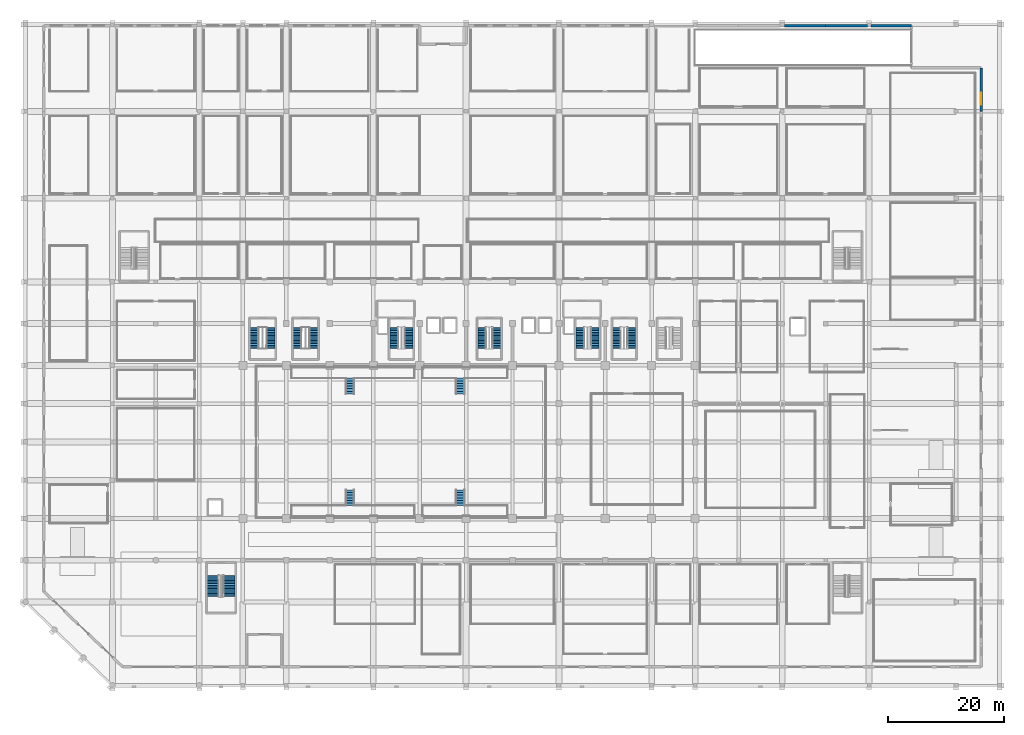
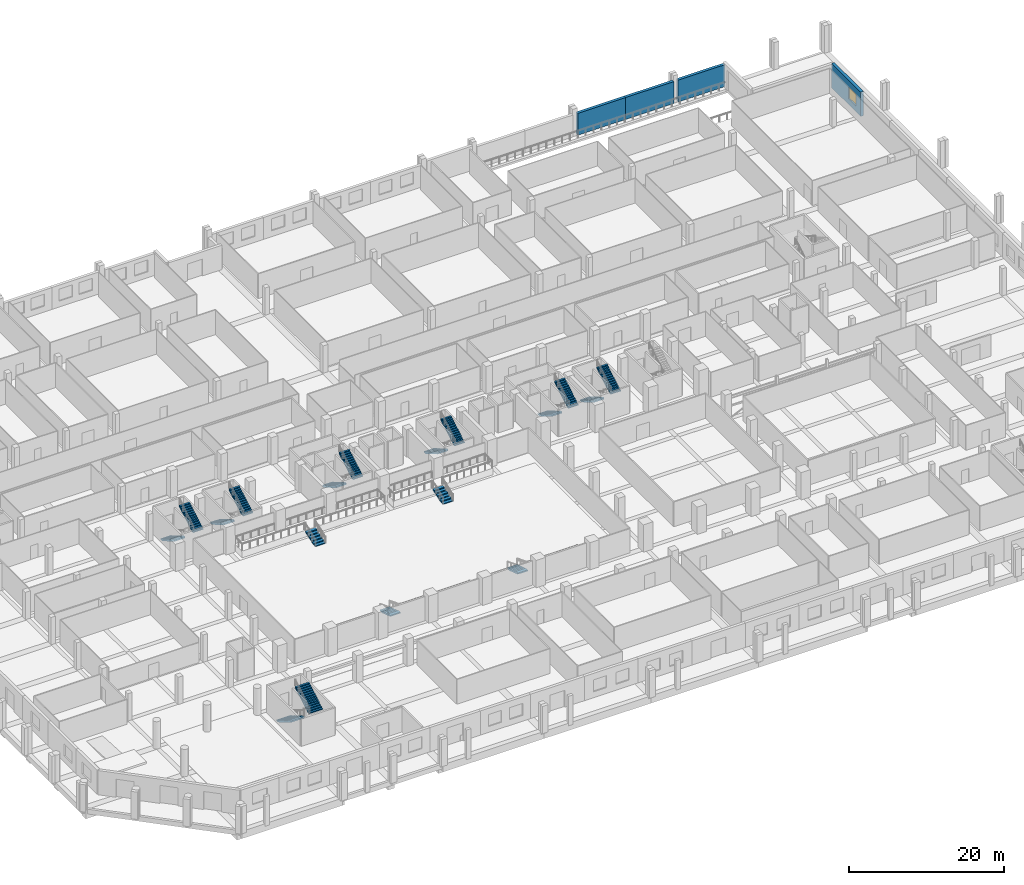
# One storey, part 25 of 33: 18 stair flights, 4 walls, 1 window, 1 opening, 11 elements without a shape of their own.
"""IFC4 building model written with IfcOpenShell, lengths in metres."""

from ifc_helpers import new_model, si_unit, direction, frame, frame_2d, origin, place, context, subcontext, project, spatial, polyline, rectangle, outline, extrude, material, layer, layer_set, type_object, element, fill, aggregate, save


model = new_model("IFC4")

# Units and contexts
model_context = context("Model", 3, precision=1e-05, world=origin(), true_north=direction((0.0, 1.0)))
body_context = subcontext(model_context, "Body", "Model", "MODEL_VIEW")
ifc_project = project(units=[si_unit("LENGTHUNIT", "METRE"), si_unit("AREAUNIT", "SQUARE_METRE"), si_unit("VOLUMEUNIT", "CUBIC_METRE"), si_unit("PLANEANGLEUNIT", "RADIAN"), si_unit("MASSUNIT", "GRAM", prefix="KILO")], contexts=[model_context])

# Site, building, storey
site_placement = place(None, origin())
site = spatial("IfcSite", under=ifc_project, at=site_placement, CompositionType="ELEMENT")
building_placement = place(site_placement, origin())
building = spatial("IfcBuilding", under=site, at=building_placement, Name="Akrevak Sports Hall", CompositionType="ELEMENT")
storey_placement = place(building_placement, origin())
storey = spatial("IfcBuildingStorey", under=building, at=storey_placement, Name="L00", CompositionType="ELEMENT", Elevation=0.0)

# Wall, opening, window
ifc_material_1 = material(Name="Limestone Ashlar", Category="stone")
ifc_layer_1 = layer(ifc_material_1, 0.090087890625, Name="Limestone Ashlar")
ifc_material_2 = material(Name="Mineral Wool Thermal Insulation", Category="insulation")
ifc_layer_2 = layer(ifc_material_2, 0.110107421875, Name="Mineral Wool Thermal Insulation")
ifc_material_3 = material(Name="Concrete C40/50", Category="concrete")
ifc_layer_3 = layer(ifc_material_3, 0.219970703125, Name="Concrete C40/50")
ifc_layer_set = layer_set([ifc_layer_1, ifc_layer_2, ifc_layer_3], Name="Limestone Ashlar / Mineral Wool Thermal Insulation / Concrete C40/50")
wall_type = type_object("IfcWallType", Name="ARC-WL-EXT-420", PredefinedType="SOLIDWALL", material=ifc_layer_set)
wall_1_placement = place(storey_placement, frame((164.800048828125, 99.0, 0.0), z_axis=(0.0, 0.0, 1.0), x_axis=(0.0, 1.0, 0.0)))
wall_1 = element("IfcWall", 1, at=wall_1_placement, inside=storey, type_object=wall_type, Name="East Avenue Arcade Limestone Wall L00-E15", PredefinedType="SOLIDWALL", context=body_context, shape_type="SweptSolid", body=[
    extrude(rectangle(XDim=7.5, YDim=0.419921875, at=frame_2d((3.75, 0.0))), origin(), (0.0, 0.0, 1.0), 3.820068359375),
])
opening_placement = place(wall_1_placement, frame((1.175048828125, 0.0, 0.919921875)))
opening = element("IfcOpeningElement", 2, at=opening_placement, cuts=wall_1, Name="Opening WN-28", PredefinedType="OPENING", context=body_context, shape_type="SweptSolid", body=[
    extrude(rectangle(XDim=2.0, YDim=1.889892578125, at=frame_2d((1.0, 0.94482421875))), frame((0.0, 0.221923828125, 0.0), z_axis=(0.0, -1.0, 0.0), x_axis=(1.0, 0.0, 0.0)), (0.0, 0.0, 1.0), 0.44384765625),
])
ifc_material_4 = material(Name="Thermally Broken Bronze Frame & Double Low-E Glass", Category="glass")
window_type = type_object("IfcWindowType", Name="ARC-WIN-SZ-2000x1890", PartitioningType="SINGLE_PANEL", PredefinedType="WINDOW", material=ifc_material_4)
window_placement = place(opening_placement, origin())
window = element("IfcWindow", 3, at=window_placement, inside=storey, type_object=window_type, Name="Beaux-Arts Facade Window WIN-L00-E15-1", OverallHeight=1.889892578125, OverallWidth=2.0, PartitioningType="SINGLE_PANEL", PredefinedType="WINDOW", context=body_context, shape_type="SweptSolid", body=[
    extrude(rectangle(XDim=2.0, YDim=1.889892578125, at=frame_2d((1.0, 0.94482421875))), frame((0.0, 0.030029296875, 0.0), z_axis=(0.0, -1.0, 0.0), x_axis=(1.0, 0.0, 0.0)), (0.0, 0.0, 1.0), 0.06005859375),
])
fill(opening, window)

# Walls
wall_2_placement = place(storey_placement, frame((138.0, 113.7900390625, 0.0), z_axis=(0.0, 0.0, 1.0), x_axis=(-1.0, 0.0, 0.0)))
element("IfcWall", 4, at=wall_2_placement, inside=storey, type_object=wall_type, Name="North Concourse Stone Wall L00-N18", PredefinedType="SOLIDWALL", context=body_context, shape_type="SweptSolid", body=[
    extrude(rectangle(XDim=7.125, YDim=0.419921875, at=frame_2d((3.5625, 0.0))), origin(), (0.0, 0.0, 1.0), 3.449951171875),
])
wall_3_placement = place(storey_placement, frame((145.175048828125, 113.7900390625, 0.0), z_axis=(0.0, 0.0, 1.0), x_axis=(-1.0, 0.0, 0.0)))
element("IfcWall", 5, at=wall_3_placement, inside=storey, type_object=wall_type, Name="North Concourse Stone Wall L00-N19", PredefinedType="SOLIDWALL", context=body_context, shape_type="SweptSolid", body=[
    extrude(rectangle(XDim=7.175048828125, YDim=0.419921875, at=frame_2d((3.58740234375, 0.0))), origin(), (0.0, 0.0, 1.0), 3.449951171875),
])
wall_4_placement = place(storey_placement, frame((152.800048828125, 113.7900390625, 0.0), z_axis=(0.0, 0.0, 1.0), x_axis=(-1.0, 0.0, 0.0)))
element("IfcWall", 6, at=wall_4_placement, inside=storey, type_object=wall_type, Name="North Concourse Stone Wall L00-N20", PredefinedType="SOLIDWALL", context=body_context, shape_type="SweptSolid", body=[
    extrude(rectangle(XDim=6.97509765625, YDim=0.419921875, at=frame_2d((3.487548828125, 0.0))), origin(), (0.0, 0.0, 1.0), 3.449951171875),
])

# Stair, stair flights
stair_type_1 = type_object("IfcStairType", Name="ARC-STR-DOG-460", PredefinedType="HALF_TURN_STAIR", material=ifc_material_3)
stair_1_placement = place(storey_placement, origin())
stair_1 = element("IfcStair", 7, at=stair_1_placement, inside=storey, type_object=stair_type_1, Name="Protected Exit Stair ST1 (L00 to L01)", PredefinedType="HALF_TURN_STAIR")
stair_flight_type_1 = type_object("IfcStairFlightType", Name="ARC-FLT-165-164", PredefinedType="STRAIGHT", material=ifc_material_3)
stair_flight_1_placement = place(storey_placement, frame((63.610107421875, 61.735107421875, 0.0), z_axis=(0.0, 0.0, 1.0), x_axis=(0.0, -1.0, 0.0)))
stair_flight_1 = element("IfcStairFlight", 8, at=stair_flight_1_placement, type_object=stair_flight_type_1, Name="Stair ST1 Flight 1 (L00)", NumberOfRisers=14, NumberOfTreads=13, PredefinedType="STRAIGHT", RiserHeight=0.164286, TreadLength=0.28, context=body_context, shape_type="SweptSolid", body=[
    extrude(outline(polyline([(0.0, 0.0), (0.0, 0.164306640625), (0.280029296875, 0.164306640625), (0.280029296875, 0.32861328125), (0.56005859375, 0.32861328125), (0.56005859375, 0.492919921875), (0.840087890625, 0.492919921875), (0.840087890625, 0.6572265625), (1.1201171875, 0.6572265625), (1.1201171875, 0.821533203125), (1.39990234375, 0.821533203125), (1.39990234375, 0.985595703125), (1.679931640625, 0.985595703125), (1.679931640625, 1.14990234375), (1.9599609375, 1.14990234375), (1.9599609375, 1.314208984375), (2.239990234375, 1.314208984375), (2.239990234375, 1.478515625), (2.52001953125, 1.478515625), (2.52001953125, 1.642822265625), (2.800048828125, 1.642822265625), (2.800048828125, 1.80712890625), (3.080078125, 1.80712890625), (3.080078125, 1.971435546875), (3.360107421875, 1.971435546875), (3.360107421875, 2.1357421875), (3.639892578125, 2.1357421875), (3.639892578125, 2.300048828125), (3.639892578125, 1.90380859375), (0.39501953125, 0.0), (0.0, 0.0)])), frame((0.0, 0.75, 0.0), z_axis=(0.0, -1.0, 0.0), x_axis=(1.0, 0.0, 0.0)), (0.0, 0.0, 1.0), 1.5),
])
stair_flight_2_placement = place(storey_placement, frame((66.090087890625, 58.094970703125, 2.300048828125), z_axis=(0.0, 0.0, 1.0), x_axis=(0.0, 1.0, 0.0)))
stair_flight_2 = element("IfcStairFlight", 9, at=stair_flight_2_placement, type_object=stair_flight_type_1, Name="Stair ST1 Flight 2 (L00)", NumberOfRisers=14, NumberOfTreads=13, PredefinedType="STRAIGHT", RiserHeight=0.164286, TreadLength=0.28, context=body_context, shape_type="SweptSolid", body=[
    extrude(outline(polyline([(0.0, 0.0), (0.0, 0.164306640625), (0.280029296875, 0.164306640625), (0.280029296875, 0.32861328125), (0.56005859375, 0.32861328125), (0.56005859375, 0.492919921875), (0.840087890625, 0.492919921875), (0.840087890625, 0.6572265625), (1.1201171875, 0.6572265625), (1.1201171875, 0.821533203125), (1.39990234375, 0.821533203125), (1.39990234375, 0.985595703125), (1.679931640625, 0.985595703125), (1.679931640625, 1.14990234375), (1.9599609375, 1.14990234375), (1.9599609375, 1.314208984375), (2.239990234375, 1.314208984375), (2.239990234375, 1.478515625), (2.52001953125, 1.478515625), (2.52001953125, 1.642822265625), (2.800048828125, 1.642822265625), (2.800048828125, 1.80712890625), (3.080078125, 1.80712890625), (3.080078125, 1.971435546875), (3.360107421875, 1.971435546875), (3.360107421875, 2.1357421875), (3.639892578125, 2.1357421875), (3.639892578125, 2.300048828125), (3.639892578125, 1.90380859375), (0.39501953125, 0.0), (0.0, 0.0)])), frame((0.0, 0.75, 0.0), z_axis=(0.0, -1.0, 0.0), x_axis=(1.0, 0.0, 0.0)), (0.0, 0.0, 1.0), 1.5),
])
aggregate(stair_1, [stair_flight_1, stair_flight_2])

stair_2_placement = place(storey_placement, origin())
stair_2 = element("IfcStair", 10, at=stair_2_placement, inside=storey, type_object=stair_type_1, Name="Protected Exit Stair ST2 (L00 to L01)", PredefinedType="HALF_TURN_STAIR")
stair_flight_3_placement = place(storey_placement, frame((95.7099609375, 61.735107421875, 0.0), z_axis=(0.0, 0.0, 1.0), x_axis=(0.0, -1.0, 0.0)))
stair_flight_3 = element("IfcStairFlight", 11, at=stair_flight_3_placement, type_object=stair_flight_type_1, Name="Stair ST2 Flight 1 (L00)", NumberOfRisers=14, NumberOfTreads=13, PredefinedType="STRAIGHT", RiserHeight=0.164286, TreadLength=0.28, context=body_context, shape_type="SweptSolid", body=[
    extrude(outline(polyline([(0.0, 0.0), (0.0, 0.164306640625), (0.280029296875, 0.164306640625), (0.280029296875, 0.32861328125), (0.56005859375, 0.32861328125), (0.56005859375, 0.492919921875), (0.840087890625, 0.492919921875), (0.840087890625, 0.6572265625), (1.1201171875, 0.6572265625), (1.1201171875, 0.821533203125), (1.39990234375, 0.821533203125), (1.39990234375, 0.985595703125), (1.679931640625, 0.985595703125), (1.679931640625, 1.14990234375), (1.9599609375, 1.14990234375), (1.9599609375, 1.314208984375), (2.239990234375, 1.314208984375), (2.239990234375, 1.478515625), (2.52001953125, 1.478515625), (2.52001953125, 1.642822265625), (2.800048828125, 1.642822265625), (2.800048828125, 1.80712890625), (3.080078125, 1.80712890625), (3.080078125, 1.971435546875), (3.360107421875, 1.971435546875), (3.360107421875, 2.1357421875), (3.639892578125, 2.1357421875), (3.639892578125, 2.300048828125), (3.639892578125, 1.90380859375), (0.39501953125, 0.0), (0.0, 0.0)])), frame((0.0, 0.75, 0.0), z_axis=(0.0, -1.0, 0.0), x_axis=(1.0, 0.0, 0.0)), (0.0, 0.0, 1.0), 1.5),
])
stair_flight_4_placement = place(storey_placement, frame((98.18994140625, 58.094970703125, 2.300048828125), z_axis=(0.0, 0.0, 1.0), x_axis=(0.0, 1.0, 0.0)))
stair_flight_4 = element("IfcStairFlight", 12, at=stair_flight_4_placement, type_object=stair_flight_type_1, Name="Stair ST2 Flight 2 (L00)", NumberOfRisers=14, NumberOfTreads=13, PredefinedType="STRAIGHT", RiserHeight=0.164286, TreadLength=0.28, context=body_context, shape_type="SweptSolid", body=[
    extrude(outline(polyline([(0.0, 0.0), (0.0, 0.164306640625), (0.280029296875, 0.164306640625), (0.280029296875, 0.32861328125), (0.56005859375, 0.32861328125), (0.56005859375, 0.492919921875), (0.840087890625, 0.492919921875), (0.840087890625, 0.6572265625), (1.1201171875, 0.6572265625), (1.1201171875, 0.821533203125), (1.39990234375, 0.821533203125), (1.39990234375, 0.985595703125), (1.679931640625, 0.985595703125), (1.679931640625, 1.14990234375), (1.9599609375, 1.14990234375), (1.9599609375, 1.314208984375), (2.239990234375, 1.314208984375), (2.239990234375, 1.478515625), (2.52001953125, 1.478515625), (2.52001953125, 1.642822265625), (2.800048828125, 1.642822265625), (2.800048828125, 1.80712890625), (3.080078125, 1.80712890625), (3.080078125, 1.971435546875), (3.360107421875, 1.971435546875), (3.360107421875, 2.1357421875), (3.639892578125, 2.1357421875), (3.639892578125, 2.300048828125), (3.639892578125, 1.90380859375), (0.39501953125, 0.0), (0.0, 0.0)])), frame((0.0, 0.75, 0.0), z_axis=(0.0, -1.0, 0.0), x_axis=(1.0, 0.0, 0.0)), (0.0, 0.0, 1.0), 1.5),
])
aggregate(stair_2, [stair_flight_3, stair_flight_4])

stair_3_placement = place(storey_placement, origin())
stair_3 = element("IfcStair", 13, at=stair_3_placement, inside=storey, type_object=stair_type_1, Name="Protected Exit Stair ST3 (L00 to L01)", PredefinedType="HALF_TURN_STAIR")
stair_flight_5_placement = place(storey_placement, frame((78.760009765625, 61.735107421875, 0.0), z_axis=(0.0, 0.0, 1.0), x_axis=(0.0, -1.0, 0.0)))
stair_flight_5 = element("IfcStairFlight", 14, at=stair_flight_5_placement, type_object=stair_flight_type_1, Name="Stair ST3 Flight 1 (L00)", NumberOfRisers=14, NumberOfTreads=13, PredefinedType="STRAIGHT", RiserHeight=0.164286, TreadLength=0.28, context=body_context, shape_type="SweptSolid", body=[
    extrude(outline(polyline([(0.0, 0.0), (0.0, 0.164306640625), (0.280029296875, 0.164306640625), (0.280029296875, 0.32861328125), (0.56005859375, 0.32861328125), (0.56005859375, 0.492919921875), (0.840087890625, 0.492919921875), (0.840087890625, 0.6572265625), (1.1201171875, 0.6572265625), (1.1201171875, 0.821533203125), (1.39990234375, 0.821533203125), (1.39990234375, 0.985595703125), (1.679931640625, 0.985595703125), (1.679931640625, 1.14990234375), (1.9599609375, 1.14990234375), (1.9599609375, 1.314208984375), (2.239990234375, 1.314208984375), (2.239990234375, 1.478515625), (2.52001953125, 1.478515625), (2.52001953125, 1.642822265625), (2.800048828125, 1.642822265625), (2.800048828125, 1.80712890625), (3.080078125, 1.80712890625), (3.080078125, 1.971435546875), (3.360107421875, 1.971435546875), (3.360107421875, 2.1357421875), (3.639892578125, 2.1357421875), (3.639892578125, 2.300048828125), (3.639892578125, 1.90380859375), (0.39501953125, 0.0), (0.0, 0.0)])), frame((0.0, 0.75, 0.0), z_axis=(0.0, -1.0, 0.0), x_axis=(1.0, 0.0, 0.0)), (0.0, 0.0, 1.0), 1.5),
])
stair_flight_6_placement = place(storey_placement, frame((81.239990234375, 58.094970703125, 2.300048828125), z_axis=(0.0, 0.0, 1.0), x_axis=(0.0, 1.0, 0.0)))
stair_flight_6 = element("IfcStairFlight", 15, at=stair_flight_6_placement, type_object=stair_flight_type_1, Name="Stair ST3 Flight 2 (L00)", NumberOfRisers=14, NumberOfTreads=13, PredefinedType="STRAIGHT", RiserHeight=0.164286, TreadLength=0.28, context=body_context, shape_type="SweptSolid", body=[
    extrude(outline(polyline([(0.0, 0.0), (0.0, 0.164306640625), (0.280029296875, 0.164306640625), (0.280029296875, 0.32861328125), (0.56005859375, 0.32861328125), (0.56005859375, 0.492919921875), (0.840087890625, 0.492919921875), (0.840087890625, 0.6572265625), (1.1201171875, 0.6572265625), (1.1201171875, 0.821533203125), (1.39990234375, 0.821533203125), (1.39990234375, 0.985595703125), (1.679931640625, 0.985595703125), (1.679931640625, 1.14990234375), (1.9599609375, 1.14990234375), (1.9599609375, 1.314208984375), (2.239990234375, 1.314208984375), (2.239990234375, 1.478515625), (2.52001953125, 1.478515625), (2.52001953125, 1.642822265625), (2.800048828125, 1.642822265625), (2.800048828125, 1.80712890625), (3.080078125, 1.80712890625), (3.080078125, 1.971435546875), (3.360107421875, 1.971435546875), (3.360107421875, 2.1357421875), (3.639892578125, 2.1357421875), (3.639892578125, 2.300048828125), (3.639892578125, 1.90380859375), (0.39501953125, 0.0), (0.0, 0.0)])), frame((0.0, 0.75, 0.0), z_axis=(0.0, -1.0, 0.0), x_axis=(1.0, 0.0, 0.0)), (0.0, 0.0, 1.0), 1.5),
])
aggregate(stair_3, [stair_flight_5, stair_flight_6])

stair_4_placement = place(storey_placement, origin())
stair_4 = element("IfcStair", 16, at=stair_4_placement, inside=storey, type_object=stair_type_1, Name="East Wing Exit Stair ST10 (L00 to L01)", PredefinedType="HALF_TURN_STAIR")
stair_flight_7_placement = place(storey_placement, frame((102.010009765625, 61.735107421875, 0.0), z_axis=(0.0, 0.0, 1.0), x_axis=(0.0, -1.0, 0.0)))
stair_flight_7 = element("IfcStairFlight", 17, at=stair_flight_7_placement, type_object=stair_flight_type_1, Name="Stair ST10 Flight 1 (L00)", NumberOfRisers=14, NumberOfTreads=13, PredefinedType="STRAIGHT", RiserHeight=0.164286, TreadLength=0.28, context=body_context, shape_type="SweptSolid", body=[
    extrude(outline(polyline([(0.0, 0.0), (0.0, 0.164306640625), (0.280029296875, 0.164306640625), (0.280029296875, 0.32861328125), (0.56005859375, 0.32861328125), (0.56005859375, 0.492919921875), (0.840087890625, 0.492919921875), (0.840087890625, 0.6572265625), (1.1201171875, 0.6572265625), (1.1201171875, 0.821533203125), (1.39990234375, 0.821533203125), (1.39990234375, 0.985595703125), (1.679931640625, 0.985595703125), (1.679931640625, 1.14990234375), (1.9599609375, 1.14990234375), (1.9599609375, 1.314208984375), (2.239990234375, 1.314208984375), (2.239990234375, 1.478515625), (2.52001953125, 1.478515625), (2.52001953125, 1.642822265625), (2.800048828125, 1.642822265625), (2.800048828125, 1.80712890625), (3.080078125, 1.80712890625), (3.080078125, 1.971435546875), (3.360107421875, 1.971435546875), (3.360107421875, 2.1357421875), (3.639892578125, 2.1357421875), (3.639892578125, 2.300048828125), (3.639892578125, 1.90380859375), (0.39501953125, 0.0), (0.0, 0.0)])), frame((0.0, 0.75, 0.0), z_axis=(0.0, -1.0, 0.0), x_axis=(1.0, 0.0, 0.0)), (0.0, 0.0, 1.0), 1.5),
])
stair_flight_8_placement = place(storey_placement, frame((104.489990234375, 58.094970703125, 2.300048828125), z_axis=(0.0, 0.0, 1.0), x_axis=(0.0, 1.0, 0.0)))
stair_flight_8 = element("IfcStairFlight", 18, at=stair_flight_8_placement, type_object=stair_flight_type_1, Name="Stair ST10 Flight 2 (L00)", NumberOfRisers=14, NumberOfTreads=13, PredefinedType="STRAIGHT", RiserHeight=0.164286, TreadLength=0.28, context=body_context, shape_type="SweptSolid", body=[
    extrude(outline(polyline([(0.0, 0.0), (0.0, 0.164306640625), (0.280029296875, 0.164306640625), (0.280029296875, 0.32861328125), (0.56005859375, 0.32861328125), (0.56005859375, 0.492919921875), (0.840087890625, 0.492919921875), (0.840087890625, 0.6572265625), (1.1201171875, 0.6572265625), (1.1201171875, 0.821533203125), (1.39990234375, 0.821533203125), (1.39990234375, 0.985595703125), (1.679931640625, 0.985595703125), (1.679931640625, 1.14990234375), (1.9599609375, 1.14990234375), (1.9599609375, 1.314208984375), (2.239990234375, 1.314208984375), (2.239990234375, 1.478515625), (2.52001953125, 1.478515625), (2.52001953125, 1.642822265625), (2.800048828125, 1.642822265625), (2.800048828125, 1.80712890625), (3.080078125, 1.80712890625), (3.080078125, 1.971435546875), (3.360107421875, 1.971435546875), (3.360107421875, 2.1357421875), (3.639892578125, 2.1357421875), (3.639892578125, 2.300048828125), (3.639892578125, 1.90380859375), (0.39501953125, 0.0), (0.0, 0.0)])), frame((0.0, 0.75, 0.0), z_axis=(0.0, -1.0, 0.0), x_axis=(1.0, 0.0, 0.0)), (0.0, 0.0, 1.0), 1.5),
])
aggregate(stair_4, [stair_flight_7, stair_flight_8])

stair_type_2 = type_object("IfcStairType", Name="ARC-STR-MDOG-460", PredefinedType="HALF_TURN_STAIR", material=ifc_material_3)
stair_5_placement = place(storey_placement, origin())
stair_5 = element("IfcStair", 19, at=stair_5_placement, inside=storey, type_object=stair_type_2, Name="Protected Exit Stair ST4 (L00 to L01)", PredefinedType="HALF_TURN_STAIR")
stair_flight_type_2 = type_object("IfcStairFlightType", Name="ARC-FLT-200-164", PredefinedType="STRAIGHT", material=ifc_material_3)
stair_flight_9_placement = place(storey_placement, frame((46.9150390625, 61.735107421875, 0.0), z_axis=(0.0, 0.0, 1.0), x_axis=(0.0, -1.0, 0.0)))
stair_flight_9 = element("IfcStairFlight", 20, at=stair_flight_9_placement, type_object=stair_flight_type_2, Name="Stair ST4 Flight 1 (L00)", NumberOfRisers=14, NumberOfTreads=13, PredefinedType="STRAIGHT", RiserHeight=0.164286, TreadLength=0.28, context=body_context, shape_type="SweptSolid", body=[
    extrude(outline(polyline([(0.0, 0.0), (0.0, 0.164306640625), (0.280029296875, 0.164306640625), (0.280029296875, 0.32861328125), (0.56005859375, 0.32861328125), (0.56005859375, 0.492919921875), (0.840087890625, 0.492919921875), (0.840087890625, 0.6572265625), (1.1201171875, 0.6572265625), (1.1201171875, 0.821533203125), (1.39990234375, 0.821533203125), (1.39990234375, 0.985595703125), (1.679931640625, 0.985595703125), (1.679931640625, 1.14990234375), (1.9599609375, 1.14990234375), (1.9599609375, 1.314208984375), (2.239990234375, 1.314208984375), (2.239990234375, 1.478515625), (2.52001953125, 1.478515625), (2.52001953125, 1.642822265625), (2.800048828125, 1.642822265625), (2.800048828125, 1.80712890625), (3.080078125, 1.80712890625), (3.080078125, 1.971435546875), (3.360107421875, 1.971435546875), (3.360107421875, 2.1357421875), (3.639892578125, 2.1357421875), (3.639892578125, 2.300048828125), (3.639892578125, 1.90380859375), (0.39501953125, 0.0), (0.0, 0.0)])), frame((0.0, 0.7548828125, 0.0), z_axis=(0.0, -1.0, 0.0), x_axis=(1.0, 0.0, 0.0)), (0.0, 0.0, 1.0), 1.510009765625),
])
stair_flight_10_placement = place(storey_placement, frame((49.68505859375, 58.094970703125, 2.300048828125), z_axis=(0.0, 0.0, 1.0), x_axis=(0.0, 1.0, 0.0)))
stair_flight_10 = element("IfcStairFlight", 21, at=stair_flight_10_placement, type_object=stair_flight_type_2, Name="Stair ST4 Flight 2 (L00)", NumberOfRisers=14, NumberOfTreads=13, PredefinedType="STRAIGHT", RiserHeight=0.164286, TreadLength=0.28, context=body_context, shape_type="SweptSolid", body=[
    extrude(outline(polyline([(0.0, 0.0), (0.0, 0.164306640625), (0.280029296875, 0.164306640625), (0.280029296875, 0.32861328125), (0.56005859375, 0.32861328125), (0.56005859375, 0.492919921875), (0.840087890625, 0.492919921875), (0.840087890625, 0.6572265625), (1.1201171875, 0.6572265625), (1.1201171875, 0.821533203125), (1.39990234375, 0.821533203125), (1.39990234375, 0.985595703125), (1.679931640625, 0.985595703125), (1.679931640625, 1.14990234375), (1.9599609375, 1.14990234375), (1.9599609375, 1.314208984375), (2.239990234375, 1.314208984375), (2.239990234375, 1.478515625), (2.52001953125, 1.478515625), (2.52001953125, 1.642822265625), (2.800048828125, 1.642822265625), (2.800048828125, 1.80712890625), (3.080078125, 1.80712890625), (3.080078125, 1.971435546875), (3.360107421875, 1.971435546875), (3.360107421875, 2.1357421875), (3.639892578125, 2.1357421875), (3.639892578125, 2.300048828125), (3.639892578125, 1.90380859375), (0.39501953125, 0.0), (0.0, 0.0)])), frame((0.0, 0.7548828125, 0.0), z_axis=(0.0, -1.0, 0.0), x_axis=(1.0, 0.0, 0.0)), (0.0, 0.0, 1.0), 1.510009765625),
])
aggregate(stair_5, [stair_flight_9, stair_flight_10])

stair_6_placement = place(storey_placement, origin())
stair_6 = element("IfcStair", 22, at=stair_6_placement, inside=storey, type_object=stair_type_2, Name="Transfer West Exit Stair ST9 (L00 to L01)", PredefinedType="HALF_TURN_STAIR")
stair_flight_11_placement = place(storey_placement, frame((39.514892578125, 61.735107421875, 0.0), z_axis=(0.0, 0.0, 1.0), x_axis=(0.0, -1.0, 0.0)))
stair_flight_11 = element("IfcStairFlight", 23, at=stair_flight_11_placement, type_object=stair_flight_type_2, Name="Stair ST9 Flight 1 (L00)", NumberOfRisers=14, NumberOfTreads=13, PredefinedType="STRAIGHT", RiserHeight=0.164286, TreadLength=0.28, context=body_context, shape_type="SweptSolid", body=[
    extrude(outline(polyline([(0.0, 0.0), (0.0, 0.164306640625), (0.280029296875, 0.164306640625), (0.280029296875, 0.32861328125), (0.56005859375, 0.32861328125), (0.56005859375, 0.492919921875), (0.840087890625, 0.492919921875), (0.840087890625, 0.6572265625), (1.1201171875, 0.6572265625), (1.1201171875, 0.821533203125), (1.39990234375, 0.821533203125), (1.39990234375, 0.985595703125), (1.679931640625, 0.985595703125), (1.679931640625, 1.14990234375), (1.9599609375, 1.14990234375), (1.9599609375, 1.314208984375), (2.239990234375, 1.314208984375), (2.239990234375, 1.478515625), (2.52001953125, 1.478515625), (2.52001953125, 1.642822265625), (2.800048828125, 1.642822265625), (2.800048828125, 1.80712890625), (3.080078125, 1.80712890625), (3.080078125, 1.971435546875), (3.360107421875, 1.971435546875), (3.360107421875, 2.1357421875), (3.639892578125, 2.1357421875), (3.639892578125, 2.300048828125), (3.639892578125, 1.90380859375), (0.39501953125, 0.0), (0.0, 0.0)])), frame((0.0, 0.7548828125, 0.0), z_axis=(0.0, -1.0, 0.0), x_axis=(1.0, 0.0, 0.0)), (0.0, 0.0, 1.0), 1.510009765625),
])
stair_flight_12_placement = place(storey_placement, frame((42.284912109375, 58.094970703125, 2.300048828125), z_axis=(0.0, 0.0, 1.0), x_axis=(0.0, 1.0, 0.0)))
stair_flight_12 = element("IfcStairFlight", 24, at=stair_flight_12_placement, type_object=stair_flight_type_2, Name="Stair ST9 Flight 2 (L00)", NumberOfRisers=14, NumberOfTreads=13, PredefinedType="STRAIGHT", RiserHeight=0.164286, TreadLength=0.28, context=body_context, shape_type="SweptSolid", body=[
    extrude(outline(polyline([(0.0, 0.0), (0.0, 0.164306640625), (0.280029296875, 0.164306640625), (0.280029296875, 0.32861328125), (0.56005859375, 0.32861328125), (0.56005859375, 0.492919921875), (0.840087890625, 0.492919921875), (0.840087890625, 0.6572265625), (1.1201171875, 0.6572265625), (1.1201171875, 0.821533203125), (1.39990234375, 0.821533203125), (1.39990234375, 0.985595703125), (1.679931640625, 0.985595703125), (1.679931640625, 1.14990234375), (1.9599609375, 1.14990234375), (1.9599609375, 1.314208984375), (2.239990234375, 1.314208984375), (2.239990234375, 1.478515625), (2.52001953125, 1.478515625), (2.52001953125, 1.642822265625), (2.800048828125, 1.642822265625), (2.800048828125, 1.80712890625), (3.080078125, 1.80712890625), (3.080078125, 1.971435546875), (3.360107421875, 1.971435546875), (3.360107421875, 2.1357421875), (3.639892578125, 2.1357421875), (3.639892578125, 2.300048828125), (3.639892578125, 1.90380859375), (0.39501953125, 0.0), (0.0, 0.0)])), frame((0.0, 0.7548828125, 0.0), z_axis=(0.0, -1.0, 0.0), x_axis=(1.0, 0.0, 0.0)), (0.0, 0.0, 1.0), 1.510009765625),
])
aggregate(stair_6, [stair_flight_11, stair_flight_12])

stair_type_3 = type_object("IfcStairType", Name="ARC-STR-PDOG-460", PredefinedType="HALF_TURN_STAIR", material=ifc_material_3)
stair_7_placement = place(storey_placement, origin())
stair_7 = element("IfcStair", 25, at=stair_7_placement, inside=storey, type_object=stair_type_3, Name="Podium SW Exit Stair ST5 (L00 to L01)", PredefinedType="HALF_TURN_STAIR")
stair_flight_type_3 = type_object("IfcStairFlightType", Name="ARC-FLT-225-164", PredefinedType="STRAIGHT", material=ifc_material_3)
stair_flight_13_placement = place(storey_placement, frame((32.385009765625, 18.949951171875, 0.0), z_axis=(0.0, 0.0, 1.0), x_axis=(0.0, -1.0, 0.0)))
stair_flight_13 = element("IfcStairFlight", 26, at=stair_flight_13_placement, type_object=stair_flight_type_3, Name="Stair ST5 Flight 1 (L00)", NumberOfRisers=14, NumberOfTreads=13, PredefinedType="STRAIGHT", RiserHeight=0.164286, TreadLength=0.28, context=body_context, shape_type="SweptSolid", body=[
    extrude(outline(polyline([(0.0, 0.0), (0.0, 0.164306640625), (0.280029296875, 0.164306640625), (0.280029296875, 0.32861328125), (0.56005859375, 0.32861328125), (0.56005859375, 0.492919921875), (0.840087890625, 0.492919921875), (0.840087890625, 0.6572265625), (1.1201171875, 0.6572265625), (1.1201171875, 0.821533203125), (1.39990234375, 0.821533203125), (1.39990234375, 0.985595703125), (1.679931640625, 0.985595703125), (1.679931640625, 1.14990234375), (1.9599609375, 1.14990234375), (1.9599609375, 1.314208984375), (2.239990234375, 1.314208984375), (2.239990234375, 1.478515625), (2.52001953125, 1.478515625), (2.52001953125, 1.642822265625), (2.800048828125, 1.642822265625), (2.800048828125, 1.80712890625), (3.080078125, 1.80712890625), (3.080078125, 1.971435546875), (3.360107421875, 1.971435546875), (3.360107421875, 2.1357421875), (3.639892578125, 2.1357421875), (3.639892578125, 2.300048828125), (3.639892578125, 1.90380859375), (0.39501953125, 0.0), (0.0, 0.0)])), frame((0.0, 1.02490234375, 0.0), z_axis=(0.0, -1.0, 0.0), x_axis=(1.0, 0.0, 0.0)), (0.0, 0.0, 1.0), 2.050048828125),
])
stair_flight_14_placement = place(storey_placement, frame((35.114990234375, 15.31005859375, 2.300048828125), z_axis=(0.0, 0.0, 1.0), x_axis=(0.0, 1.0, 0.0)))
stair_flight_14 = element("IfcStairFlight", 27, at=stair_flight_14_placement, type_object=stair_flight_type_3, Name="Stair ST5 Flight 2 (L00)", NumberOfRisers=14, NumberOfTreads=13, PredefinedType="STRAIGHT", RiserHeight=0.164286, TreadLength=0.28, context=body_context, shape_type="SweptSolid", body=[
    extrude(outline(polyline([(0.0, 0.0), (0.0, 0.164306640625), (0.280029296875, 0.164306640625), (0.280029296875, 0.32861328125), (0.56005859375, 0.32861328125), (0.56005859375, 0.492919921875), (0.840087890625, 0.492919921875), (0.840087890625, 0.6572265625), (1.1201171875, 0.6572265625), (1.1201171875, 0.821533203125), (1.39990234375, 0.821533203125), (1.39990234375, 0.985595703125), (1.679931640625, 0.985595703125), (1.679931640625, 1.14990234375), (1.9599609375, 1.14990234375), (1.9599609375, 1.314208984375), (2.239990234375, 1.314208984375), (2.239990234375, 1.478515625), (2.52001953125, 1.478515625), (2.52001953125, 1.642822265625), (2.800048828125, 1.642822265625), (2.800048828125, 1.80712890625), (3.080078125, 1.80712890625), (3.080078125, 1.971435546875), (3.360107421875, 1.971435546875), (3.360107421875, 2.1357421875), (3.639892578125, 2.1357421875), (3.639892578125, 2.300048828125), (3.639892578125, 1.90380859375), (0.39501953125, 0.0), (0.0, 0.0)])), frame((0.0, 1.02490234375, 0.0), z_axis=(0.0, -1.0, 0.0), x_axis=(1.0, 0.0, 0.0)), (0.0, 0.0, 1.0), 2.050048828125),
])
aggregate(stair_7, [stair_flight_13, stair_flight_14])

# Stair, stair flight
stair_type_4 = type_object("IfcStairType", Name="ARC-STR-GANG-90", PredefinedType="STRAIGHT_RUN_STAIR", material=ifc_material_3)
stair_8_placement = place(storey_placement, origin())
stair_8 = element("IfcStair", 28, at=stair_8_placement, inside=storey, type_object=stair_type_4, Name="Handball South Stand Gangway 1", PredefinedType="STRAIGHT_RUN_STAIR")
stair_flight_type_4 = type_object("IfcStairFlightType", Name="ARC-FLT-GANG-150", PredefinedType="STRAIGHT", material=ifc_material_3)
stair_flight_15_placement = place(storey_placement, frame((56.0, 33.719970703125, 0.0), z_axis=(0.0, 0.0, 1.0), x_axis=(0.0, -1.0, 0.0)))
stair_flight_15 = element("IfcStairFlight", 29, at=stair_flight_15_placement, type_object=stair_flight_type_4, Name="Handball South Stand Gangway 1 Flight", NumberOfRisers=7, NumberOfTreads=6, PredefinedType="STRAIGHT", RiserHeight=0.15, TreadLength=0.45, context=body_context, shape_type="SweptSolid", body=[
    extrude(outline(polyline([(0.0, 0.0), (0.0, 0.14990234375), (0.449951171875, 0.14990234375), (0.449951171875, 0.300048828125), (0.89990234375, 0.300048828125), (0.89990234375, 0.449951171875), (1.35009765625, 0.449951171875), (1.35009765625, 0.60009765625), (1.800048828125, 0.60009765625), (1.800048828125, 0.75), (2.25, 0.75), (2.25, 0.89990234375), (2.699951171875, 0.89990234375), (2.699951171875, 1.050048828125), (2.699951171875, 0.71044921875), (0.569091796875, 0.0), (0.0, 0.0)])), frame((0.0, 0.75, 0.0), z_axis=(0.0, -1.0, 0.0), x_axis=(1.0, 0.0, 0.0)), (0.0, 0.0, 1.0), 1.5),
])
aggregate(stair_8, [stair_flight_15])

stair_9_placement = place(storey_placement, origin())
stair_9 = element("IfcStair", 30, at=stair_9_placement, inside=storey, type_object=stair_type_4, Name="Handball South Stand Gangway 2", PredefinedType="STRAIGHT_RUN_STAIR")
stair_flight_16_placement = place(storey_placement, frame((75.0, 33.719970703125, 0.0), z_axis=(0.0, 0.0, 1.0), x_axis=(0.0, -1.0, 0.0)))
stair_flight_16 = element("IfcStairFlight", 31, at=stair_flight_16_placement, type_object=stair_flight_type_4, Name="Handball South Stand Gangway 2 Flight", NumberOfRisers=7, NumberOfTreads=6, PredefinedType="STRAIGHT", RiserHeight=0.15, TreadLength=0.45, context=body_context, shape_type="SweptSolid", body=[
    extrude(outline(polyline([(0.0, 0.0), (0.0, 0.14990234375), (0.449951171875, 0.14990234375), (0.449951171875, 0.300048828125), (0.89990234375, 0.300048828125), (0.89990234375, 0.449951171875), (1.35009765625, 0.449951171875), (1.35009765625, 0.60009765625), (1.800048828125, 0.60009765625), (1.800048828125, 0.75), (2.25, 0.75), (2.25, 0.89990234375), (2.699951171875, 0.89990234375), (2.699951171875, 1.050048828125), (2.699951171875, 0.71044921875), (0.569091796875, 0.0), (0.0, 0.0)])), frame((0.0, 0.75, 0.0), z_axis=(0.0, -1.0, 0.0), x_axis=(1.0, 0.0, 0.0)), (0.0, 0.0, 1.0), 1.5),
])
aggregate(stair_9, [stair_flight_16])

stair_10_placement = place(storey_placement, origin())
stair_10 = element("IfcStair", 32, at=stair_10_placement, inside=storey, type_object=stair_type_4, Name="Handball North Stand Gangway 3", PredefinedType="STRAIGHT_RUN_STAIR")
stair_flight_17_placement = place(storey_placement, frame((56.0, 50.280029296875, 0.0), z_axis=(0.0, 0.0, 1.0), x_axis=(0.0, 1.0, 0.0)))
stair_flight_17 = element("IfcStairFlight", 33, at=stair_flight_17_placement, type_object=stair_flight_type_4, Name="Handball North Stand Gangway 3 Flight", NumberOfRisers=7, NumberOfTreads=6, PredefinedType="STRAIGHT", RiserHeight=0.15, TreadLength=0.45, context=body_context, shape_type="SweptSolid", body=[
    extrude(outline(polyline([(0.0, 0.0), (0.0, 0.14990234375), (0.449951171875, 0.14990234375), (0.449951171875, 0.300048828125), (0.89990234375, 0.300048828125), (0.89990234375, 0.449951171875), (1.35009765625, 0.449951171875), (1.35009765625, 0.60009765625), (1.800048828125, 0.60009765625), (1.800048828125, 0.75), (2.25, 0.75), (2.25, 0.89990234375), (2.699951171875, 0.89990234375), (2.699951171875, 1.050048828125), (2.699951171875, 0.71044921875), (0.569091796875, 0.0), (0.0, 0.0)])), frame((0.0, 0.75, 0.0), z_axis=(0.0, -1.0, 0.0), x_axis=(1.0, 0.0, 0.0)), (0.0, 0.0, 1.0), 1.5),
])
aggregate(stair_10, [stair_flight_17])

stair_11_placement = place(storey_placement, origin())
stair_11 = element("IfcStair", 34, at=stair_11_placement, inside=storey, type_object=stair_type_4, Name="Handball North Stand Gangway 4", PredefinedType="STRAIGHT_RUN_STAIR")
stair_flight_18_placement = place(storey_placement, frame((75.0, 50.280029296875, 0.0), z_axis=(0.0, 0.0, 1.0), x_axis=(0.0, 1.0, 0.0)))
stair_flight_18 = element("IfcStairFlight", 35, at=stair_flight_18_placement, type_object=stair_flight_type_4, Name="Handball North Stand Gangway 4 Flight", NumberOfRisers=7, NumberOfTreads=6, PredefinedType="STRAIGHT", RiserHeight=0.15, TreadLength=0.45, context=body_context, shape_type="SweptSolid", body=[
    extrude(outline(polyline([(0.0, 0.0), (0.0, 0.14990234375), (0.449951171875, 0.14990234375), (0.449951171875, 0.300048828125), (0.89990234375, 0.300048828125), (0.89990234375, 0.449951171875), (1.35009765625, 0.449951171875), (1.35009765625, 0.60009765625), (1.800048828125, 0.60009765625), (1.800048828125, 0.75), (2.25, 0.75), (2.25, 0.89990234375), (2.699951171875, 0.89990234375), (2.699951171875, 1.050048828125), (2.699951171875, 0.71044921875), (0.569091796875, 0.0), (0.0, 0.0)])), frame((0.0, 0.75, 0.0), z_axis=(0.0, -1.0, 0.0), x_axis=(1.0, 0.0, 0.0)), (0.0, 0.0, 1.0), 1.5),
])
aggregate(stair_11, [stair_flight_18])

save(model, "model.ifc")
